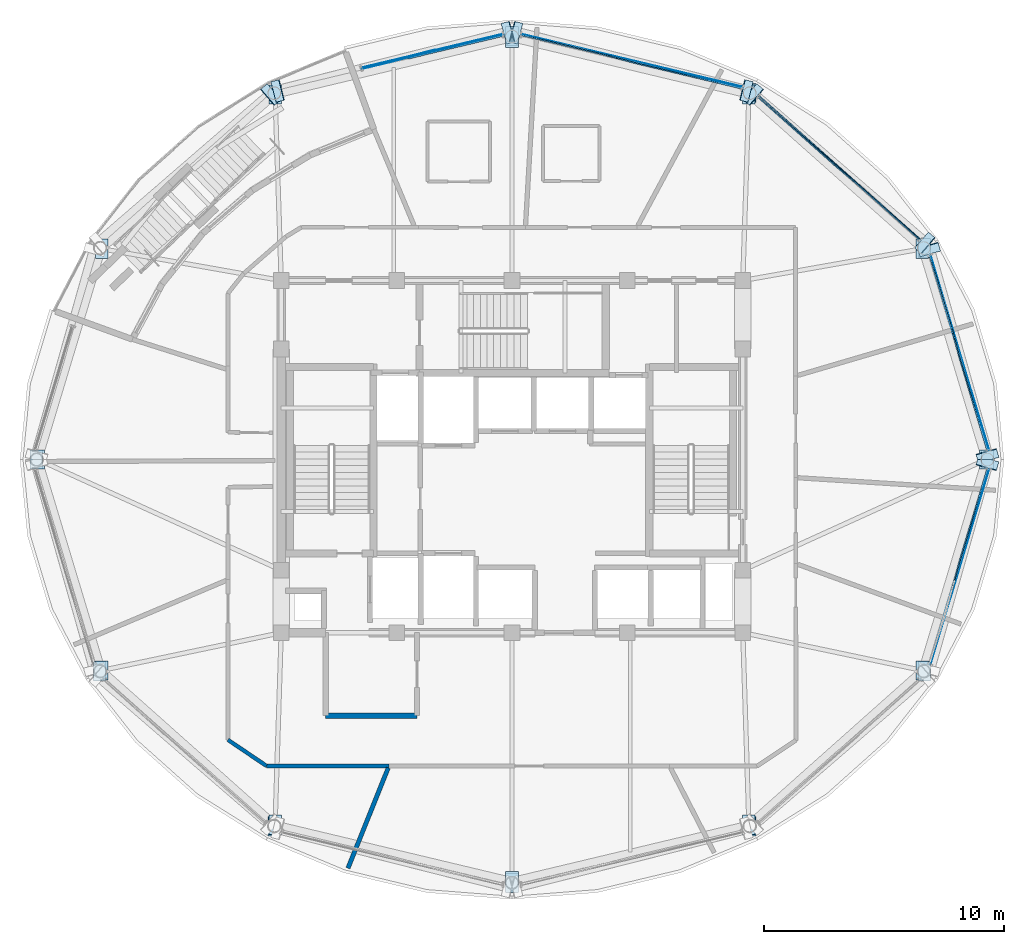
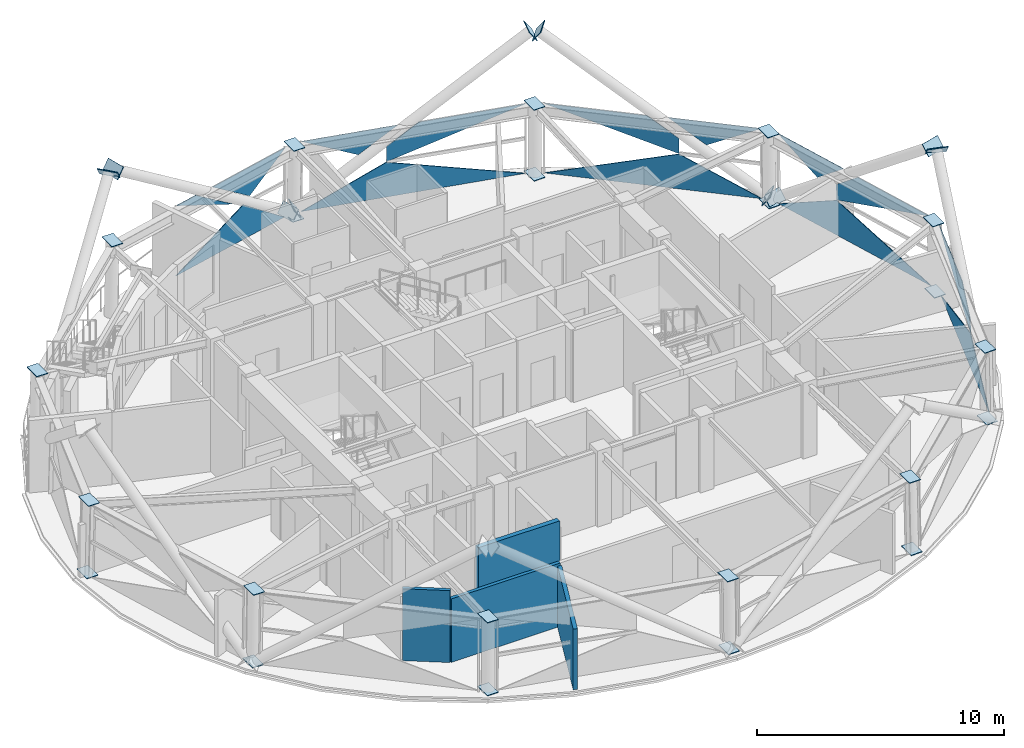
# One storey, part 7 of 16: 46 plates, 4 walls, 5 elements without a shape of their own.
"""IFC4 building model written with IfcOpenShell, lengths in metres."""

from ifc_helpers import new_model, si_unit, direction, frame, frame_2d, origin, place, context, subcontext, project, spatial, polyline, rectangle, outline, extrude, material, layer, layer_set, type_object, element, aggregate, save


model = new_model("IFC4")

# Units and contexts
model_context = context("Model", 3, precision=1e-05, world=origin(), true_north=direction((0.0, 1.0)))
body_context = subcontext(model_context, "Body", "Model", "MODEL_VIEW")
ifc_project = project(units=[si_unit("LENGTHUNIT", "METRE"), si_unit("AREAUNIT", "SQUARE_METRE"), si_unit("VOLUMEUNIT", "CUBIC_METRE"), si_unit("PLANEANGLEUNIT", "RADIAN"), si_unit("MASSUNIT", "GRAM", prefix="KILO")], contexts=[model_context])

# Site, building, storey
site_placement = place(None, origin())
site = spatial("IfcSite", under=ifc_project, at=site_placement, CompositionType="ELEMENT")
building_placement = place(site_placement, origin())
building = spatial("IfcBuilding", under=site, at=building_placement, Name="Vantalir Tower", CompositionType="ELEMENT")
storey_placement = place(building_placement, frame((0.0, 0.0, 267.60009765625)))
storey = spatial("IfcBuildingStorey", under=building, at=storey_placement, Name="L67", CompositionType="ELEMENT", Elevation=267.60009765625)

# Curtain wall, plates
ifc_material_1 = material(Name="Champagne-silver PVDF aluminium and double-silver Low-E glass", Category="aluminium")
ifc_layer_1 = layer(ifc_material_1, 0.219970703125)
ifc_layer_set_1 = layer_set([ifc_layer_1], Name="Champagne-silver PVDF aluminium and double-silver Low-E glass")
curtain_wall_type = type_object("IfcCurtainWallType", Name="CW-DIAMOND-Z4", PredefinedType="USERDEFINED", material=ifc_layer_set_1)
curtain_wall_1_placement = place(storey_placement, origin())
curtain_wall_1 = element("IfcCurtainWall", 1, at=curtain_wall_1_placement, inside=storey, type_object=curtain_wall_type, Name="L67 Quilted Pyramid-Diamond Curtain Wall S01", ObjectType="UNITISED CURTAIN WALL", PredefinedType="USERDEFINED")
ifc_material_2 = material(Name="Double-silver Low-E acoustic glass IGU", Category="glass")
ifc_layer_2 = layer(ifc_material_2, 0.031982421875)
ifc_layer_set_2 = layer_set([ifc_layer_2], Name="Double-silver Low-E acoustic glass IGU")
plate_type_1 = type_object("IfcPlateType", Name="CWP-IGU-32", PredefinedType="CURTAIN_PANEL", material=ifc_layer_set_2)
plate_1_placement = place(storey_placement, frame((51.36328125, 25.3876953125, 0.046875), z_axis=(0.957591214915, 0.288013771159, 0.008193457176), x_axis=(-0.288023664898, 0.957623291086, 2.8776468e-05)))
plate_1 = element("IfcPlate", 2, at=plate_1_placement, type_object=plate_type_1, Name="CW-L67-S01 Pyramid Diamond Facet 1L", PredefinedType="CURTAIN_PANEL", context=body_context, shape_type="SweptSolid", body=[
    extrude(outline(polyline([(0.0, 0.0), (8.484037297730698, -4.336808689942018e-19), (5.2558988171889, 1.7250043138671574), (0.0, 0.0)])), origin(), (0.0, 0.0, -1.0), 0.031982421875),
])
plate_2_placement = place(storey_placement, frame((51.283447265625, 25.3876953125, 3.52294921875), z_axis=(0.957008421232, 0.287844560535, 0.035782546877), x_axis=(-0.288028980478, 0.957621692739, -9.90127e-07)))
plate_2 = element("IfcPlate", 3, at=plate_2_placement, type_object=plate_type_1, Name="CW-L67-S01 Pyramid Diamond Facet 2U", PredefinedType="CURTAIN_PANEL", context=body_context, shape_type="SweptSolid", body=[
    extrude(outline(polyline([(0.0, 0.0), (4.002854258668991, 6.938893903907228e-18), (5.232945955680841, -0.9522648057173764), (5.232997101606578, -1.7262018986163585), (0.0, 0.0)])), origin(), (0.0, 0.0, -1.0), 0.031982421875),
])
plate_3_placement = place(storey_placement, frame((49.92529296875, 30.0283203125, 3.524169921875), z_axis=(0.957006099703, 0.287860984278, 0.035712446882), x_axis=(-0.288042411992, 0.957617650382, -6.7599721e-05)))
plate_3 = element("IfcPlate", 4, at=plate_3_placement, type_object=plate_type_1, Name="CW-L67-S01 Pyramid Diamond Facet 2U Infill Light", PredefinedType="CURTAIN_PANEL", context=body_context, shape_type="SweptSolid", body=[
    extrude(outline(polyline([(0.0, 0.0), (3.6115626026406717, 2.791820594150174e-18), (1.4794641120332717, -1.1451617317773695), (0.0, 0.0)])), origin(), (0.0, 0.0, -1.0), 0.031982421875),
])
aggregate(curtain_wall_1, [plate_1, plate_2, plate_3])

curtain_wall_2_placement = place(storey_placement, origin())
curtain_wall_2 = element("IfcCurtainWall", 5, at=curtain_wall_2_placement, inside=storey, type_object=curtain_wall_type, Name="L67 Quilted Pyramid-Diamond Curtain Wall S02", ObjectType="UNITISED CURTAIN WALL", PredefinedType="USERDEFINED")
plate_4_placement = place(storey_placement, frame((48.500732421875, 34.16943359375, 0.046875), z_axis=(0.665227100368, 0.746604487038, 0.007392216893), x_axis=(-0.746624753026, 0.665245426463, -2.7171728e-05)))
plate_4 = element("IfcPlate", 6, at=plate_4_placement, type_object=plate_type_1, Name="CW-L67-S02 Pyramid Diamond Facet 1L", PredefinedType="CURTAIN_PANEL", context=body_context, shape_type="SweptSolid", body=[
    extrude(outline(polyline([(0.0, 0.0), (8.98509735520636, 5.692061405548898e-18), (3.4207005453101145, 1.7254818888694767), (0.0, 0.0)])), origin(), (0.0, 0.0, -1.0), 0.031982421875),
])
plate_5_placement = place(storey_placement, frame((44.924072265625, 37.258544921875, 3.52294921875), z_axis=(0.664848521097, 0.746177610736, 0.03457480631), x_axis=(-0.74662529545, 0.665244815882, 5.6001005e-05)))
plate_5 = element("IfcPlate", 7, at=plate_5_placement, type_object=plate_type_1, Name="CW-L67-S02 Pyramid Diamond Facet 2U", PredefinedType="CURTAIN_PANEL", context=body_context, shape_type="SweptSolid", body=[
    extrude(outline(polyline([(0.0, 0.0), (4.248116029747028, 4.30970363562988e-18), (-1.3045872814851398, -1.7263008748410187), (-1.3045753629415082, -0.9558269282824745), (0.0, 0.0)])), origin(), (0.0, 0.0, -1.0), 0.031982421875),
])
plate_6_placement = place(storey_placement, frame((48.455810546875, 34.16015625, 3.524169921875), z_axis=(0.664836389057, 0.746191703026, 0.034503885601), x_axis=(-0.746636277393, 0.665232492653, 0.0)))
plate_6 = element("IfcPlate", 8, at=plate_6_placement, type_object=plate_type_1, Name="CW-L67-S02 Pyramid Diamond Facet 2U Infill Light", PredefinedType="CURTAIN_PANEL", context=body_context, shape_type="SweptSolid", body=[
    extrude(outline(polyline([(0.0, 0.0), (3.8358887166263966, -1.3877787807814457e-17), (2.263827785453582, -1.1518088757282876), (0.0, 0.0)])), origin(), (0.0, 0.0, -1.0), 0.031982421875),
])
aggregate(curtain_wall_2, [plate_4, plate_5, plate_6])

curtain_wall_3_placement = place(storey_placement, origin())
curtain_wall_3 = element("IfcCurtainWall", 9, at=curtain_wall_3_placement, inside=storey, type_object=curtain_wall_type, Name="L67 Quilted Pyramid-Diamond Curtain Wall S03", ObjectType="UNITISED CURTAIN WALL", PredefinedType="USERDEFINED")
plate_7_placement = place(storey_placement, frame((41.09619140625, 40.510009765625, 0.046630859375), z_axis=(0.232213696624, 0.972644130112, 0.00633997305), x_axis=(-0.972663716211, 0.232218204499, 2.580489e-05)))
plate_7 = element("IfcPlate", 10, at=plate_7_placement, type_object=plate_type_1, Name="CW-L67-S03 Pyramid Diamond Facet 1L", PredefinedType="CURTAIN_PANEL", context=body_context, shape_type="SweptSolid", body=[
    extrude(outline(polyline([(0.0, 0.0), (9.461021753718784, 1.0842021724855044e-19), (5.860841238901259, 1.7257135234354184), (0.0, 0.0)])), origin(), (0.0, 0.0, -1.0), 0.031982421875),
])
plate_8_placement = place(storey_placement, frame((41.05615234375, 40.447998046875, 3.523193359375), z_axis=(0.232036803106, 0.972119958818, 0.033789165021), x_axis=(-0.972674938609, 0.232171188484, -5.5135182e-05)))
plate_8 = element("IfcPlate", 11, at=plate_8_placement, type_object=plate_type_1, Name="CW-L67-S03 Pyramid Diamond Facet 2U", PredefinedType="CURTAIN_PANEL", context=body_context, shape_type="SweptSolid", body=[
    extrude(outline(polyline([(0.0, 0.0), (4.481360355073054, 4.30970363562988e-18), (5.836411070078648, -0.9491948254882803), (5.836468819461956, -1.7264970849296748), (0.0, 0.0)])), origin(), (0.0, 0.0, -1.0), 0.031982421875),
])
plate_9_placement = place(storey_placement, frame((35.84130859375, 41.729736328125, 3.524169921875), z_axis=(0.23207637139, 0.972105984524, 0.033919208353), x_axis=(-0.972665677659, 0.232209990105, 0.0)))
plate_9 = element("IfcPlate", 12, at=plate_9_placement, type_object=plate_type_1, Name="CW-L67-S03 Pyramid Diamond Facet 2U Infill Light", PredefinedType="CURTAIN_PANEL", context=body_context, shape_type="SweptSolid", body=[
    extrude(outline(polyline([(0.0, 0.0), (4.049910544655532, -3.469446951953614e-18), (1.6504108016246053, -1.156182871072711), (0.0, 0.0)])), origin(), (0.0, 0.0, -1.0), 0.031982421875),
])
aggregate(curtain_wall_3, [plate_7, plate_8, plate_9])

curtain_wall_4_placement = place(storey_placement, origin())
curtain_wall_4 = element("IfcCurtainWall", 13, at=curtain_wall_4_placement, inside=storey, type_object=curtain_wall_type, Name="L67 Quilted Pyramid-Diamond Curtain Wall S04", ObjectType="UNITISED CURTAIN WALL", PredefinedType="USERDEFINED")
plate_10_placement = place(storey_placement, frame((31.1064453125, 42.70703125, 0.0478515625), z_axis=(-0.232213757646, 0.972644195093, 0.006327757289), x_axis=(-0.972663726886, -0.232218157701, -4.0434992e-05)))
plate_10 = element("IfcPlate", 14, at=plate_10_placement, type_object=plate_type_1, Name="CW-L67-S04 Pyramid Diamond Facet 1L", PredefinedType="CURTAIN_PANEL", context=body_context, shape_type="SweptSolid", body=[
    extrude(outline(polyline([(0.0, 0.0), (6.037855192955248, -2.710505431213761e-20), (2.297696777828491, 1.7232719407001182), (0.0, 0.0)])), origin(), (0.0, 0.0, -1.0), 0.031982421875),
])
plate_11_placement = place(storey_placement, frame((31.1064453125, 42.63525390625, 3.521728515625), z_axis=(-0.23208420392, 0.972107466947, 0.033822995098), x_axis=(-0.972663032651, -0.23222103774, 0.00012060298)))
plate_11 = element("IfcPlate", 15, at=plate_11_placement, type_object=plate_type_1, Name="CW-L67-S04 Pyramid Diamond Facet 2U", PredefinedType="CURTAIN_PANEL", context=body_context, shape_type="SweptSolid", body=[
    extrude(outline(polyline([(0.0, 0.0), (4.048666546436438, -6.505213034913027e-19), (1.947259422935106, -1.4720243568227438), (0.0, 0.0)])), origin(), (0.0, 0.0, -1.0), 0.031982421875),
])
plate_12_placement = place(storey_placement, frame((26.29541015625, 41.52392578125, 3.5234375), z_axis=(-0.232218081239, 0.972086267597, 0.033511954512), x_axis=(-0.972632579065, -0.232348587559, 0.0)))
plate_12 = element("IfcPlate", 16, at=plate_12_placement, type_object=plate_type_1, Name="CW-L67-S04 Pyramid Diamond Facet 2U Infill Light", PredefinedType="CURTAIN_PANEL", context=body_context, shape_type="SweptSolid", body=[
    extrude(outline(polyline([(0.0, 0.0), (1.07281727315017, 1.734723475976807e-18), (-2.0827671594199657, -1.4593157670336008), (0.0, 0.0)])), origin(), (0.0, 0.0, -1.0), 0.031982421875),
])
aggregate(curtain_wall_4, [plate_10, plate_11, plate_12])

curtain_wall_5_placement = place(storey_placement, origin())
curtain_wall_5 = element("IfcCurtainWall", 17, at=curtain_wall_5_placement, inside=storey, type_object=curtain_wall_type, Name="L67 Quilted Pyramid-Diamond Curtain Wall S12", ObjectType="UNITISED CURTAIN WALL", PredefinedType="USERDEFINED")
plate_13_placement = place(storey_placement, frame((48.919677734375, 16.486572265625, 0.047119140625), z_axis=(0.957603117015, -0.287974082888, 0.008197430566), x_axis=(0.287983984755, 0.957635224758, -2.8772503e-05)))
plate_13 = element("IfcPlate", 18, at=plate_13_placement, type_object=plate_type_1, Name="CW-L67-S12 Pyramid Diamond Facet 1L", PredefinedType="CURTAIN_PANEL", context=body_context, shape_type="SweptSolid", body=[
    extrude(outline(polyline([(0.0, 0.0), (8.485206278758936, -1.8973538018496328e-18), (3.228606665576889, 1.7250043707163474), (0.0, 0.0)])), origin(), (0.0, 0.0, -1.0), 0.031982421875),
])
plate_14_placement = place(storey_placement, frame((50.130615234375, 20.778564453125, 3.52294921875), z_axis=(0.957018061878, -0.287815237253, 0.03576057108), x_axis=(0.287999406552, 0.957630587348, 1.141414e-06)))
plate_14 = element("IfcPlate", 19, at=plate_14_placement, type_object=plate_type_1, Name="CW-L67-S12 Pyramid Diamond Facet 2U", PredefinedType="CURTAIN_PANEL", context=body_context, shape_type="SweptSolid", body=[
    extrude(outline(polyline([(0.0, 0.0), (4.0033218532381625, 0.0), (-1.2301450108840768, -1.726200353671122), (-1.2300928892856744, -0.9522632634597291), (0.0, 0.0)])), origin(), (0.0, 0.0, -1.0), 0.031982421875),
])
aggregate(curtain_wall_5, [plate_13, plate_14])

# Plates
ifc_material_3 = material(Name="Steel S460", Category="steel")
ifc_layer_3 = layer(ifc_material_3, 0.035888671875)
ifc_layer_set_3 = layer_set([ifc_layer_3], Name="Steel S460")
plate_type_2 = type_object("IfcPlateType", Name="PLT-KN-Z2", PredefinedType="USERDEFINED", material=ifc_layer_set_3)
for number, where, z_axis, x_axis, name in (
    (20, (48.822021484375, 34.46533203125, -0.019287109375), (-0.610086281914, 0.527518213685, 0.591201541651), (-0.654067743502, -0.756435976712, -6.770196e-06), "Node Cap Plate MEM-DG-L67-R04L Start"),
    (21, (41.685302734375, 40.6357421875, 6.892578125), (-0.610086281914, 0.527518213685, 0.591201541651), (-0.654067743502, -0.756435976712, -6.770196e-06), "Node Cap Plate MEM-DG-L67-R04L End"),
):
    element("IfcPlate", number, at=place(storey_placement, frame(where, z_axis=z_axis, x_axis=x_axis)), inside=storey, type_object=plate_type_2, Name=name, ObjectType="FLANGE_PLATE", PredefinedType="USERDEFINED", context=body_context, shape_type="SweptSolid", body=[
        extrude(outline(polyline([(0.0, 0.0), (0.8801495721854425, 0.0), (0.8799350320447354, 0.5799944898164169), (0.00012982111911078427, 0.5799797162433006), (0.0, 0.0)])), origin(), (0.0, 0.0, -1.0), 0.035888671875),
    ])
plate_15_placement = place(storey_placement, frame((48.47705078125, 33.43603515625, -0.009765625), z_axis=(0.215226659059, -0.760862439977, 0.612181209007), x_axis=(0.962243074722, 0.272191596396, 0.0)))
element("IfcPlate", 22, at=plate_15_placement, inside=storey, type_object=plate_type_2, Name="Node Cap Plate MEM-DG-L67-R04R Start", ObjectType="FLANGE_PLATE", PredefinedType="USERDEFINED", context=body_context, shape_type="SweptSolid", body=[
    extrude(outline(polyline([(0.0, 0.0), (0.8799020847661332, -2.7755575615628914e-17), (0.8798405090260153, 0.5798481667872841), (-6.157574011797506e-05, 0.5798481667872841), (0.0, 0.0)])), origin(), (0.0, 0.0, -1.0), 0.035888671875),
])
plate_16_placement = place(storey_placement, frame((50.903564453125, 24.85546875, 6.89306640625), z_axis=(0.215158788321, -0.760841831483, 0.612230678154), x_axis=(0.962263623275, 0.272118943336, 0.0)))
element("IfcPlate", 23, at=plate_16_placement, inside=storey, type_object=plate_type_2, Name="Node Cap Plate MEM-DG-L67-R04R End", ObjectType="FLANGE_PLATE", PredefinedType="USERDEFINED", context=body_context, shape_type="SweptSolid", body=[
    extrude(outline(polyline([(0.0, 0.0), (0.8801370099005008, 0.0), (0.8801150679702219, 0.5801850290104398), (-2.1941930279031907e-05, 0.5801850290104398), (0.0, 0.0)])), origin(), (0.0, 0.0, -1.0), 0.035888671875),
])
plate_17_placement = place(storey_placement, frame((31.0498046875, 43.140869140625, -0.02685546875), z_axis=(-0.794119333931, -0.200887535039, 0.573601500819), x_axis=(0.245254504769, -0.969458729207, 1.5985904e-05)))
element("IfcPlate", 24, at=plate_17_placement, inside=storey, type_object=plate_type_2, Name="Node Cap Plate MEM-DG-L67-R10L Start", ObjectType="FLANGE_PLATE", PredefinedType="USERDEFINED", context=body_context, shape_type="SweptSolid", body=[
    extrude(outline(polyline([(0.0, 0.0), (0.8799057085116735, 0.0), (0.8799577333685337, 0.5799824000281086), (-0.00018465940319996104, 0.5800167484281901), (0.0, 0.0)])), origin(), (0.0, 0.0, -1.0), 0.035888671875),
])
plate_18_placement = place(storey_placement, frame((21.47314453125, 40.71630859375, 6.892333984375), z_axis=(-0.793947649322, -0.201100077175, 0.573764663512), x_axis=(0.245537379595, -0.969387123507, 0.0)))
element("IfcPlate", 25, at=plate_18_placement, inside=storey, type_object=plate_type_2, Name="Node Cap Plate MEM-DG-L67-R10L End", ObjectType="FLANGE_PLATE", PredefinedType="USERDEFINED", context=body_context, shape_type="SweptSolid", body=[
    extrude(outline(polyline([(0.0, 0.0), (0.8799656226747645, 0.0), (0.8801071215012269, 0.5797824125959326), (0.00014149882646246538, 0.5797824125959326), (0.0, 0.0)])), origin(), (0.0, 0.0, -1.0), 0.035888671875),
])
plate_19_placement = place(storey_placement, frame((31.734375, 42.287841796875, -0.02685546875), z_axis=(0.794119333931, -0.200887535039, 0.573601500819), x_axis=(0.245254504769, 0.969458729207, -1.5985904e-05)))
element("IfcPlate", 26, at=plate_19_placement, inside=storey, type_object=plate_type_2, Name="Node Cap Plate MEM-DG-L67-R10R Start", ObjectType="FLANGE_PLATE", PredefinedType="USERDEFINED", context=body_context, shape_type="SweptSolid", body=[
    extrude(outline(polyline([(0.0, 0.0), (0.8799057085116735, 0.0), (0.8800903679148734, 0.5800167484281901), (-5.202485686023545e-05, 0.5799824000281086), (0.0, 0.0)])), origin(), (0.0, 0.0, -1.0), 0.035888671875),
])
plate_20_placement = place(storey_placement, frame((41.310791015625, 39.86328125, 6.892333984375), z_axis=(0.793947649322, -0.201100077175, 0.573764663512), x_axis=(0.245537379595, 0.969387123507, 0.0)))
element("IfcPlate", 27, at=plate_20_placement, inside=storey, type_object=plate_type_2, Name="Node Cap Plate MEM-DG-L67-R10R End", ObjectType="FLANGE_PLATE", PredefinedType="USERDEFINED", context=body_context, shape_type="SweptSolid", body=[
    extrude(outline(polyline([(0.0, 0.0), (0.8799656226747645, 0.0), (0.879824123848302, 0.5797824125959326), (-0.00014149882646246538, 0.5797824125959326), (0.0, 0.0)])), origin(), (0.0, 0.0, -1.0), 0.035888671875),
])
plate_21_placement = place(storey_placement, frame((21.890380859375, 39.969970703125, 6.892578125), z_axis=(0.610086281914, 0.527518213685, 0.591201541651), x_axis=(-0.654067743502, 0.756435976712, 6.770196e-06)))
element("IfcPlate", 28, at=plate_21_placement, inside=storey, type_object=plate_type_2, Name="Node Cap Plate MEM-DG-L67-R16R End", ObjectType="FLANGE_PLATE", PredefinedType="USERDEFINED", context=body_context, shape_type="SweptSolid", body=[
    extrude(outline(polyline([(0.0, 0.0), (0.8801495721854425, 0.0), (0.8800197510663317, 0.5799797162433005), (0.0002145401407071204, 0.5799944898164169), (0.0, 0.0)])), origin(), (0.0, 0.0, -1.0), 0.035888671875),
])
plate_22_placement = place(storey_placement, frame((51.75048828125, 24.905029296875, 6.89306640625), z_axis=(0.215083899646, 0.760964862694, 0.612104071101), x_axis=(-0.96228632897, 0.272038631272, -6.4602548e-05)))
element("IfcPlate", 29, at=plate_22_placement, inside=storey, type_object=plate_type_2, Name="Node Cap Plate MEM-DG-L67-R34L End", ObjectType="FLANGE_PLATE", PredefinedType="USERDEFINED", context=body_context, shape_type="SweptSolid", body=[
    extrude(outline(polyline([(0.0, 0.0), (0.880137004998549, 2.7755575615628914e-17), (0.8801589567328539, 0.5801850215738391), (8.836741576786162e-05, 0.5800412214067103), (0.0, 0.0)])), origin(), (0.0, 0.0, -1.0), 0.035888671875),
])
ifc_layer_4 = layer(ifc_material_3, 0.031982421875)
ifc_layer_set_4 = layer_set([ifc_layer_4], Name="Steel S460")
plate_type_3 = type_object("IfcPlateType", Name="PLT-KN-Z3", PredefinedType="USERDEFINED", material=ifc_layer_set_4)
for number, where, z_axis, x_axis, name in (
    (30, (50.949462890625, 25.39990234375, 3.588134765625), (-0.022060357799, 0.0, 0.999756640695), (0.0, -1.0, 0.0), "L67 Ring Column Top Cap RC01"),
    (31, (51.02880859375, 25.39990234375, 0.047119140625), (-0.022060357799, 0.0, 0.999756640695), (0.0, -1.0, 0.0), "L67 Ring Column Base Cap RC01"),
):
    element("IfcPlate", number, at=place(storey_placement, frame(where, z_axis=z_axis, x_axis=x_axis)), inside=storey, type_object=plate_type_3, Name=name, ObjectType="FLANGE_PLATE", PredefinedType="USERDEFINED", context=body_context, shape_type="SweptSolid", body=[
        extrude(outline(polyline([(0.0, 0.0), (0.7998046875, 0.0), (0.7998046875, 0.5201461136467123), (0.0, 0.5201461136467123), (0.0, 0.0)])), origin(), (0.0, 0.0, -1.0), 0.031982421875),
    ])
plate_23_placement = place(storey_placement, frame((48.30859375, 34.168701171875, 3.5927734375), z_axis=(-0.019725097937, -0.010069252636, 0.999754735254), x_axis=(-3.0312e-08, -0.999949284052, -0.010071212676)))
element("IfcPlate", 32, at=plate_23_placement, inside=storey, type_object=plate_type_3, Name="L67 Ring Column Top Cap RC02", ObjectType="FLANGE_PLATE", PredefinedType="USERDEFINED", context=body_context, shape_type="SweptSolid", body=[
    extrude(outline(polyline([(0.0, 0.0), (0.7998452647878977, 0.0), (0.7999861080048245, 0.5198765613672895), (-0.0001032850262499521, 0.5198765128599748), (0.0, 0.0)])), origin(), (0.0, 0.0, -1.0), 0.031982421875),
])
plate_24_placement = place(storey_placement, frame((48.3779296875, 34.20458984375, 0.0517578125), z_axis=(-0.019715840928, -0.010069254475, 0.999754917833), x_axis=(3.0289e-08, -0.999949284064, -0.010071211481)))
element("IfcPlate", 33, at=plate_24_placement, inside=storey, type_object=plate_type_3, Name="L67 Ring Column Base Cap RC02", ObjectType="FLANGE_PLATE", PredefinedType="USERDEFINED", context=body_context, shape_type="SweptSolid", body=[
    extrude(outline(polyline([(0.0, 0.0), (0.8000893930310758, 2.710505431213761e-20), (0.7999861395235709, 0.5201206060252332), (0.0001408747356747658, 0.5201206544949896), (0.0, 0.0)])), origin(), (0.0, 0.0, -1.0), 0.031982421875),
])
plate_25_placement = place(storey_placement, frame((41.0947265625, 40.588623046875, 3.59814453125), z_axis=(-0.011034612356, -0.017545444078, 0.999785174286), x_axis=(-1.653485e-06, -0.99984604778, -0.017546530609)))
element("IfcPlate", 34, at=plate_25_placement, inside=storey, type_object=plate_type_3, Name="L67 Ring Column Top Cap RC03", ObjectType="FLANGE_PLATE", PredefinedType="USERDEFINED", context=body_context, shape_type="SweptSolid", body=[
    extrude(outline(polyline([(0.0, 0.0), (0.8001741204466974, 0.0), (0.8000704488996636, 0.5200525166101079), (0.00014471531292439312, 0.52004987070868), (0.0, 0.0)])), origin(), (0.0, 0.0, -1.0), 0.031982421875),
])
plate_26_placement = place(storey_placement, frame((41.134521484375, 40.651123046875, 0.05712890625), z_axis=(-0.011039794727, -0.017545443074, 0.999785117093), x_axis=(-1.654261e-06, -0.999846047779, -0.017546530627)))
element("IfcPlate", 35, at=plate_26_placement, inside=storey, type_object=plate_type_3, Name="L67 Ring Column Base Cap RC03", ObjectType="FLANGE_PLATE", PredefinedType="USERDEFINED", context=body_context, shape_type="SweptSolid", body=[
    extrude(outline(polyline([(0.0, 0.0), (0.8001741204466986, 0.0), (0.8000704488996626, 0.5198083914774845), (0.00014471531292644855, 0.5198057443334173), (0.0, 0.0)])), origin(), (0.0, 0.0, -1.0), 0.031982421875),
])
for number, where, z_axis, x_axis, name in (
    (36, (31.239990234375, 42.9384765625, 3.60205078125), (0.0, -0.020142432833, 0.99979712062), (0.0, -0.99979712062, -0.020142432833), "L67 Ring Column Top Cap RC04"),
    (37, (31.239990234375, 43.009765625, 0.06103515625), (0.0, -0.020142432833, 0.99979712062), (0.0, -0.99979712062, -0.020142432833), "L67 Ring Column Base Cap RC04"),
):
    element("IfcPlate", number, at=place(storey_placement, frame(where, z_axis=z_axis, x_axis=x_axis)), inside=storey, type_object=plate_type_3, Name=name, ObjectType="FLANGE_PLATE", PredefinedType="USERDEFINED", context=body_context, shape_type="SweptSolid", body=[
        extrude(outline(polyline([(0.0, 0.0), (0.7999669843059863, 0.0), (0.7999669843059863, 0.52001953125), (0.0, 0.52001953125), (0.0, 0.0)])), origin(), (0.0, 0.0, -1.0), 0.031982421875),
    ])
plate_27_placement = place(storey_placement, frame((21.38525390625, 40.58837890625, 3.757568359375), z_axis=(0.010803938364, -0.017090522625, 0.999795573581), x_axis=(0.0, -0.999853929301, -0.017091520159)))
element("IfcPlate", 38, at=plate_27_placement, inside=storey, type_object=plate_type_3, Name="L67 Ring Column Top Cap RC05", ObjectType="FLANGE_PLATE", PredefinedType="USERDEFINED", context=body_context, shape_type="SweptSolid", body=[
    extrude(outline(polyline([(0.0, 0.0), (0.7999215325974094, -2.710505431213761e-20), (0.7997734005257189, 0.5200498835689612), (-0.00014813207169047808, 0.5200498835689612), (0.0, 0.0)])), origin(), (0.0, 0.0, -1.0), 0.031982421875),
])
plate_28_placement = place(storey_placement, frame((14.17138671875, 34.168701171875, 3.756591796875), z_axis=(0.018777411865, -0.009459223924, 0.99977894151), x_axis=(-2.71e-08, -0.999955244765, -0.009460891476)))
element("IfcPlate", 39, at=plate_28_placement, inside=storey, type_object=plate_type_3, Name="L67 Ring Column Top Cap RC06", ObjectType="FLANGE_PLATE", PredefinedType="USERDEFINED", context=body_context, shape_type="SweptSolid", body=[
    extrude(outline(polyline([(0.0, 0.0), (0.800084625178163, 0.0), (0.7999328729056493, 0.5201112543366752), (9.237742591506014e-05, 0.5201112109714501), (0.0, 0.0)])), origin(), (0.0, 0.0, -1.0), 0.031982421875),
])
for number, where, z_axis, x_axis, name in (
    (40, (11.530517578125, 25.39990234375, 3.599609375), (0.022060357799, 0.0, 0.999756640695), (0.0, -1.0, 0.0), "L67 Ring Column Top Cap RC07"),
    (41, (11.451171875, 25.39990234375, 0.05859375), (0.022060357799, 0.0, 0.999756640695), (0.0, -1.0, 0.0), "L67 Ring Column Base Cap RC07"),
):
    element("IfcPlate", number, at=place(storey_placement, frame(where, z_axis=z_axis, x_axis=x_axis)), inside=storey, type_object=plate_type_3, Name=name, ObjectType="FLANGE_PLATE", PredefinedType="USERDEFINED", context=body_context, shape_type="SweptSolid", body=[
        extrude(outline(polyline([(0.0, 0.0), (0.7998046875, 0.0), (0.7998046875, 0.5201461136467123), (0.0, 0.5201461136467123), (0.0, 0.0)])), origin(), (0.0, 0.0, -1.0), 0.031982421875),
    ])
plate_29_placement = place(storey_placement, frame((14.171630859375, 16.63037109375, 3.594970703125), z_axis=(0.019725097937, 0.010069252636, 0.999754735254), x_axis=(3.0303e-08, -0.999949284064, 0.01007121148)))
element("IfcPlate", 42, at=plate_29_placement, inside=storey, type_object=plate_type_3, Name="L67 Ring Column Top Cap RC08", ObjectType="FLANGE_PLATE", PredefinedType="USERDEFINED", context=body_context, shape_type="SweptSolid", body=[
    extrude(outline(polyline([(0.0, 0.0), (0.8000893930310758, 0.0), (0.799986139523571, 0.5198765128662358), (0.00014087473567476647, 0.5198765613587497), (0.0, 0.0)])), origin(), (0.0, 0.0, -1.0), 0.031982421875),
])
plate_30_placement = place(storey_placement, frame((14.10205078125, 16.594482421875, 0.053955078125), z_axis=(0.019715840928, 0.010069254475, 0.999754917833), x_axis=(-3.0298e-08, -0.999949284052, 0.010071212676)))
element("IfcPlate", 43, at=plate_30_placement, inside=storey, type_object=plate_type_3, Name="L67 Ring Column Base Cap RC08", ObjectType="FLANGE_PLATE", PredefinedType="USERDEFINED", context=body_context, shape_type="SweptSolid", body=[
    extrude(outline(polyline([(0.0, 0.0), (0.7998452647878976, 0.0), (0.7999861080048244, 0.5201206545035255), (-0.00010328502624995278, 0.5201206060189753), (0.0, 0.0)])), origin(), (0.0, 0.0, -1.0), 0.031982421875),
])
plate_31_placement = place(storey_placement, frame((21.38525390625, 10.21142578125, 3.58984375), z_axis=(0.011034612356, 0.017545444078, 0.999785174286), x_axis=(1.653998e-06, -0.99984604842, 0.017546494116)))
element("IfcPlate", 44, at=plate_31_placement, inside=storey, type_object=plate_type_3, Name="L67 Ring Column Top Cap RC09", ObjectType="FLANGE_PLATE", PredefinedType="USERDEFINED", context=body_context, shape_type="SweptSolid", body=[
    extrude(outline(polyline([(0.0, 0.0), (0.7999257335911152, 5.421010862427522e-20), (0.8000721690645959, 0.5200498702271626), (-0.00010195137772447245, 0.5200525169501757), (0.0, 0.0)])), origin(), (0.0, 0.0, -1.0), 0.031982421875),
])
plate_32_placement = place(storey_placement, frame((21.345703125, 10.14892578125, 0.048828125), z_axis=(0.011039794727, 0.017545443074, 0.999785117093), x_axis=(1.654775e-06, -0.999846048421, 0.017546494099)))
element("IfcPlate", 45, at=plate_32_placement, inside=storey, type_object=plate_type_3, Name="L67 Ring Column Base Cap RC09", ObjectType="FLANGE_PLATE", PredefinedType="USERDEFINED", context=body_context, shape_type="SweptSolid", body=[
    extrude(outline(polyline([(0.0, 0.0), (0.7999257335911163, 0.0), (0.8000721690645948, 0.5198057438516738), (-0.00010195137772241606, 0.5198083918177121), (0.0, 0.0)])), origin(), (0.0, 0.0, -1.0), 0.031982421875),
])
for number, where, z_axis, x_axis, name in (
    (46, (31.239990234375, 7.861328125, 3.5859375), (0.0, 0.020142432833, 0.99979712062), (0.0, -0.99979712062, 0.020142432833), "L67 Ring Column Top Cap RC10"),
    (47, (31.239990234375, 7.7900390625, 0.044921875), (0.0, 0.020142432833, 0.99979712062), (0.0, -0.99979712062, 0.020142432833), "L67 Ring Column Base Cap RC10"),
):
    element("IfcPlate", number, at=place(storey_placement, frame(where, z_axis=z_axis, x_axis=x_axis)), inside=storey, type_object=plate_type_3, Name=name, ObjectType="FLANGE_PLATE", PredefinedType="USERDEFINED", context=body_context, shape_type="SweptSolid", body=[
        extrude(outline(polyline([(0.0, 0.0), (0.7999669843059863, 0.0), (0.7999669843059863, 0.52001953125), (0.0, 0.52001953125), (0.0, 0.0)])), origin(), (0.0, 0.0, -1.0), 0.031982421875),
    ])
plate_33_placement = place(storey_placement, frame((41.0947265625, 10.21142578125, 3.583984375), z_axis=(-0.011034612356, 0.017545444078, 0.999785174286), x_axis=(1.653485e-06, -0.99984604778, 0.017546530609)))
element("IfcPlate", 48, at=plate_33_placement, inside=storey, type_object=plate_type_3, Name="L67 Ring Column Top Cap RC11", ObjectType="FLANGE_PLATE", PredefinedType="USERDEFINED", context=body_context, shape_type="SweptSolid", body=[
    extrude(outline(polyline([(0.0, 0.0), (0.8001741204466974, 0.0), (0.8000294051337732, 0.5200498707086799), (0.00010367154703390658, 0.5200525166101079), (0.0, 0.0)])), origin(), (0.0, 0.0, -1.0), 0.031982421875),
])
plate_34_placement = place(storey_placement, frame((41.134521484375, 10.14892578125, 0.04296875), z_axis=(-0.011039794727, 0.017545443074, 0.999785117093), x_axis=(1.654261e-06, -0.999846047779, 0.017546530627)))
element("IfcPlate", 49, at=plate_34_placement, inside=storey, type_object=plate_type_3, Name="L67 Ring Column Base Cap RC11", ObjectType="FLANGE_PLATE", PredefinedType="USERDEFINED", context=body_context, shape_type="SweptSolid", body=[
    extrude(outline(polyline([(0.0, 0.0), (0.8001741204466986, 0.0), (0.8000294051337722, 0.5198057443334173), (0.00010367154703596205, 0.5198083914774845), (0.0, 0.0)])), origin(), (0.0, 0.0, -1.0), 0.031982421875),
])
plate_35_placement = place(storey_placement, frame((48.30859375, 16.630126953125, 3.584716796875), z_axis=(-0.019725097937, 0.010069252636, 0.999754735254), x_axis=(3.0312e-08, -0.999949284052, 0.010071212676)))
element("IfcPlate", 50, at=plate_35_placement, inside=storey, type_object=plate_type_3, Name="L67 Ring Column Top Cap RC12", ObjectType="FLANGE_PLATE", PredefinedType="USERDEFINED", context=body_context, shape_type="SweptSolid", body=[
    extrude(outline(polyline([(0.0, 0.0), (0.7998452647878977, 0.0), (0.7999485498141476, 0.5198765128599748), (-0.0001408432169266988, 0.5198765613672897), (0.0, 0.0)])), origin(), (0.0, 0.0, -1.0), 0.031982421875),
])
plate_36_placement = place(storey_placement, frame((48.3779296875, 16.594482421875, 0.043701171875), z_axis=(-0.019715840928, 0.010069254475, 0.999754917833), x_axis=(-3.0289e-08, -0.999949284064, 0.010071211481)))
element("IfcPlate", 51, at=plate_36_placement, inside=storey, type_object=plate_type_3, Name="L67 Ring Column Base Cap RC12", ObjectType="FLANGE_PLATE", PredefinedType="USERDEFINED", context=body_context, shape_type="SweptSolid", body=[
    extrude(outline(polyline([(0.0, 0.0), (0.8000893930310758, -2.710505431213761e-20), (0.7999485182954011, 0.5201206544949896), (0.00010325350750482414, 0.5201206060252332), (0.0, 0.0)])), origin(), (0.0, 0.0, -1.0), 0.031982421875),
])

# Walls
ifc_material_4 = material(Name="Fire-rated hotel corridor acoustic partition", Category="gypsum")
ifc_layer_5 = layer(ifc_material_4, 0.159912109375)
ifc_layer_set_5 = layer_set([ifc_layer_5], Name="Fire-rated hotel corridor acoustic partition")
wall_type_1 = type_object("IfcWallType", Name="WL-CORR-160", PredefinedType="PARTITIONING", material=ifc_layer_set_5)
wall_1_placement = place(storey_placement, frame((26.383056640625, 12.2548828125, 0.0), z_axis=(0.0, 0.0, 1.0), x_axis=(-0.999999971254, 0.000239773647, 0.0)))
element("IfcWall", 52, at=wall_1_placement, inside=storey, type_object=wall_type_1, Name="L67 Corridor Partition 18", PredefinedType="PARTITIONING", context=body_context, shape_type="SweptSolid", body=[
    extrude(rectangle(XDim=5.091064453125, YDim=0.159912109375, at=frame_2d((2.54541015625, 0.0))), origin(), (0.0, 0.0, 1.0), 3.1318359375),
])
wall_2_placement = place(storey_placement, frame((21.2919921875, 12.256103515625, 0.0), z_axis=(0.0, 0.0, 1.0), x_axis=(-0.828314331742, 0.560263659209, 0.0)))
element("IfcWall", 53, at=wall_2_placement, inside=storey, type_object=wall_type_1, Name="L67 Corridor Partition 19", PredefinedType="PARTITIONING", context=body_context, shape_type="SweptSolid", body=[
    extrude(rectangle(XDim=1.93994140625, YDim=0.159912109375, at=frame_2d((0.969970703125, 0.0))), origin(), (0.0, 0.0, 1.0), 3.5498046875),
])
ifc_material_5 = material(Name="Concrete blockwork with fireboard lining", Category="masonry")
ifc_layer_6 = layer(ifc_material_5, 0.219970703125)
ifc_layer_set_6 = layer_set([ifc_layer_6], Name="Concrete blockwork with fireboard lining")
wall_type_2 = type_object("IfcWallType", Name="WL-FFL-220", PredefinedType="PARTITIONING", material=ifc_layer_set_6)
wall_3_placement = place(storey_placement, frame((23.75, 14.35009765625, 0.0), z_axis=(0.0, 0.0, 1.0), x_axis=(1.0, 0.0, 0.0)))
element("IfcWall", 54, at=wall_3_placement, inside=storey, type_object=wall_type_2, Name="L67 Firefighting Lobby West South Wall", PredefinedType="PARTITIONING", context=body_context, shape_type="SweptSolid", body=[
    extrude(rectangle(XDim=3.800048828125, YDim=0.219970703125, at=frame_2d((1.89990234375, 0.0))), origin(), (0.0, 0.0, 1.0), 3.5498046875),
])
ifc_material_6 = material(Name="Twin-stud acoustic fire-rated gypsum partition", Category="gypsum")
ifc_layer_7 = layer(ifc_material_6, 0.179931640625)
ifc_layer_set_7 = layer_set([ifc_layer_7], Name="Twin-stud acoustic fire-rated gypsum partition")
wall_type_3 = type_object("IfcWallType", Name="WL-GUEST-180", PredefinedType="PARTITIONING", material=ifc_layer_set_7)
wall_4_placement = place(storey_placement, frame((26.35107421875, 12.175048828125, 0.0), z_axis=(0.0, 0.0, 1.0), x_axis=(-0.372542566522, -0.92801510555, 0.0)))
element("IfcWall", 55, at=wall_4_placement, inside=storey, type_object=wall_type_3, Name="L67 Radial Suite Partition 08", PredefinedType="PARTITIONING", context=body_context, shape_type="SweptSolid", body=[
    extrude(rectangle(XDim=4.49365234375, YDim=0.179931640625, at=frame_2d((2.246826171875, 0.0))), origin(), (0.0, 0.0, 1.0), 3.0029296875),
])

save(model, "model.ifc")
